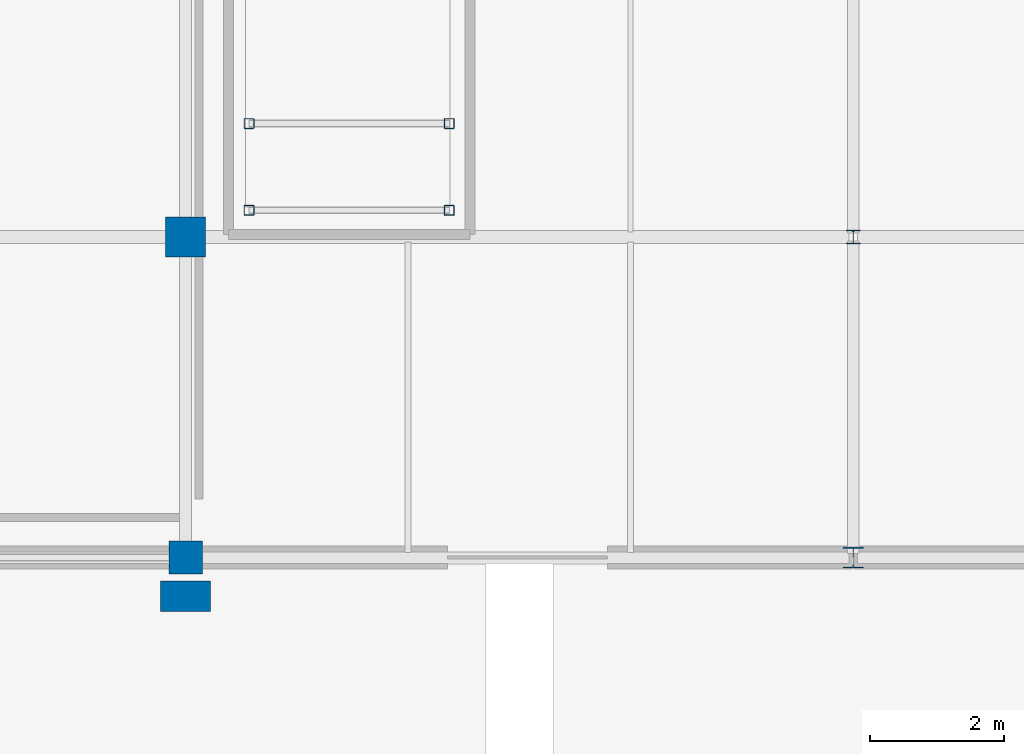
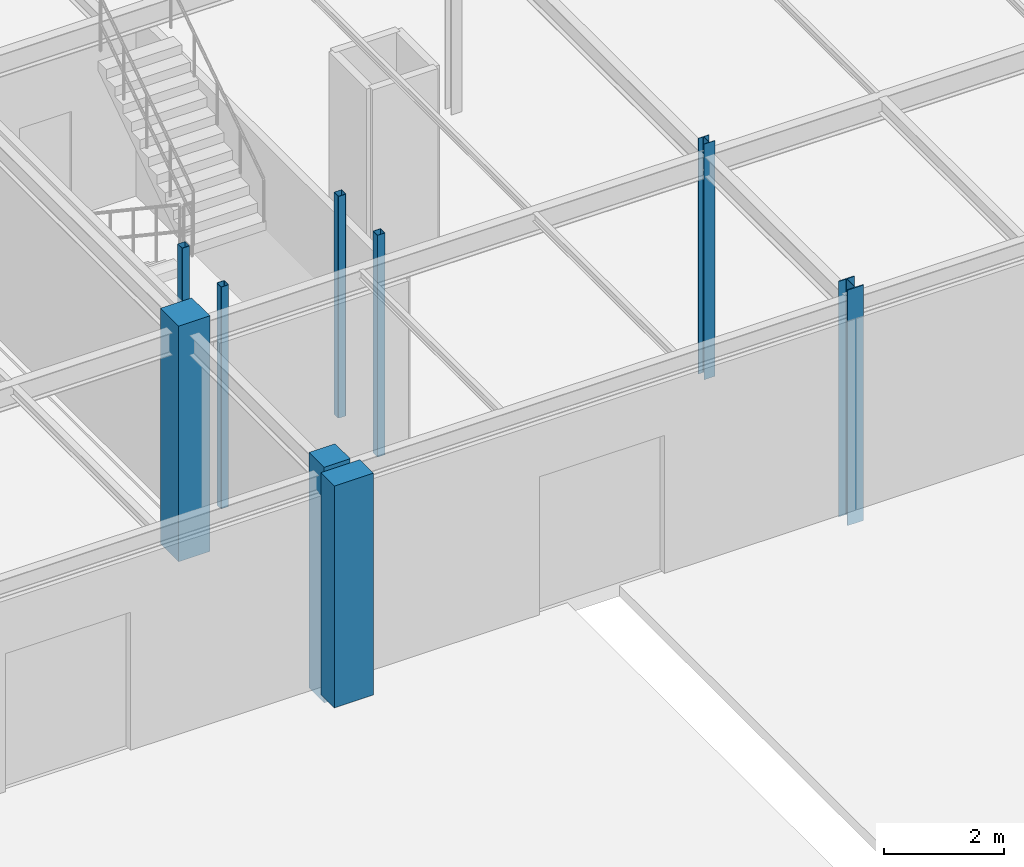
# One storey, part 23 of 119: 9 columns.
"""IFC4 building model written with IfcOpenShell, lengths in metres."""

import ifcopenshell
import ifcopenshell.guid

model = None  # the IFC model being written
_history = None  # IfcOwnerHistory: only IFC2X3 demands one
_inside = {}  # id of a spatial element -> (the spatial element, [elements in it])
_under = {}  # id of a project, library or spatial element -> (it, [spatial elements below it])
_declared = {}  # id of a project -> (the project, [libraries it declares])
_typed = {}  # id of a type object -> (the type object, [elements of that type])
_made_of = {}  # id of a material, layer set ... -> (it, [elements and type objects made of it])


def new_model(schema):
    """Start an empty IFC model of exactly this schema.

    Asked for "IFC4X3", IfcOpenShell would pick the latest addendum, in which some entities
    have other attributes; the version numbers below select the first issue.
    IFC2X3 requires an IfcOwnerHistory on every rooted entity: one is made here for all.
    """
    global model, _history
    if schema == "IFC4X3":
        model = ifcopenshell.file(schema_version=(4, 3, 0, 0))
    else:
        model = ifcopenshell.file(schema=schema)
    _inside.clear()
    _under.clear()
    _declared.clear()
    _typed.clear()
    _made_of.clear()
    _history = None
    if model.schema == "IFC2X3":
        org = make("IfcOrganization", Name="unknown")
        user = make(
            "IfcPersonAndOrganization",
            ThePerson=make("IfcPerson", FamilyName="unknown"),
            TheOrganization=org,
        )
        app = make(
            "IfcApplication",
            ApplicationDeveloper=org,
            Version="unknown",
            ApplicationFullName="unknown",
            ApplicationIdentifier="unknown",
        )
        _history = make(
            "IfcOwnerHistory",
            OwningUser=user,
            OwningApplication=app,
            ChangeAction="ADDED",
            CreationDate=0,
        )
    return model


def make(cls, **values):
    """One entity of the class cls with the attributes given. An attribute that is None is left unset."""
    return model.create_entity(
        cls, **{name: value for name, value in values.items() if value is not None}
    )


def rooted(cls, **values):
    """An entity with a GlobalId (a new one), such as an element, a storey or a relation."""
    return make(cls, GlobalId=ifcopenshell.guid.new(), OwnerHistory=_history, **values)


def si_unit(unit_type, name, prefix=None):
    """IfcSIUnit, for example si_unit("LENGTHUNIT", "METRE", prefix="MILLI")."""
    return make("IfcSIUnit", UnitType=unit_type, Prefix=prefix, Name=name)


def derived_unit(unit_type, elements):
    """IfcDerivedUnit: a product of units, each with its exponent."""
    return make(
        "IfcDerivedUnit",
        Elements=[
            make("IfcDerivedUnitElement", Unit=unit, Exponent=power)
            for unit, power in elements
        ],
        UnitType=unit_type,
    )


def assignment(units):
    """IfcUnitAssignment: the units of a project."""
    return None if units is None else make("IfcUnitAssignment", Units=units)


def point(xyz):
    """IfcCartesianPoint."""
    return None if xyz is None else make("IfcCartesianPoint", Coordinates=xyz)


def direction(xyz):
    """IfcDirection."""
    return None if xyz is None else make("IfcDirection", DirectionRatios=xyz)


def frame(location, z_axis=None, x_axis=None):
    """IfcAxis2Placement3D, a coordinate frame: its origin and axes. An axis left out is left unset."""
    return make(
        "IfcAxis2Placement3D",
        Location=point(location),
        Axis=direction(z_axis),
        RefDirection=direction(x_axis),
    )


def frame_2d(location, x_axis=None):
    """IfcAxis2Placement2D, a coordinate frame in the plane: its origin and x axis."""
    return make(
        "IfcAxis2Placement2D", Location=point(location), RefDirection=direction(x_axis)
    )


def origin():
    """The frame at (0, 0, 0) with its axes left unset."""
    return frame((0.0, 0.0, 0.0))


def origin_2d_with_axis():
    """The frame at (0, 0) in the plane with the x axis (1, 0) written out."""
    return frame_2d((0.0, 0.0), x_axis=(1.0, 0.0))


def place(relative_to, where):
    """IfcLocalPlacement: puts the frame where relative to a parent placement (None: the world)."""
    return make(
        "IfcLocalPlacement", PlacementRelTo=relative_to, RelativePlacement=where
    )


def context(
    kind, dimensions, precision=None, world=None, true_north=None, identifier=None
):
    """IfcGeometricRepresentationContext, for example the 3D "Model" context."""
    return make(
        "IfcGeometricRepresentationContext",
        ContextIdentifier=identifier,
        ContextType=kind,
        CoordinateSpaceDimension=dimensions,
        Precision=precision,
        WorldCoordinateSystem=world,
        TrueNorth=true_north,
    )


def subcontext(parent, identifier, kind, view, scale=None):
    """IfcGeometricRepresentationSubContext, for example "Body" below "Model"."""
    return make(
        "IfcGeometricRepresentationSubContext",
        ContextIdentifier=identifier,
        ContextType=kind,
        ParentContext=parent,
        TargetScale=scale,
        TargetView=view,
    )


def project(units=None, contexts=None):
    """IfcProject with its units and contexts."""
    return rooted(
        "IfcProject",
        Name="project",
        RepresentationContexts=contexts,
        UnitsInContext=assignment(units),
    )


def spatial(cls, under=None, at=None, **own):
    """A site, building, storey or space (cls), placed at a placement, below another one or the project."""
    s = rooted(cls, ObjectPlacement=at, **own)
    if under is not None:
        _under.setdefault(under.id(), (under, []))[1].append(s)
    return s


def profile(cls, at=None, kind="AREA", **sizes):
    """A parametric profile (cls). Its sizes go by their IFC names, for example OverallWidth=200.0."""
    return make(cls, ProfileType=kind, Position=at, **sizes)


def rectangle(**sizes):
    """IfcRectangleProfileDef."""
    return profile("IfcRectangleProfileDef", **sizes)


def hollow_rectangle(**sizes):
    """IfcRectangleHollowProfileDef."""
    return profile("IfcRectangleHollowProfileDef", **sizes)


def i_section(**sizes):
    """IfcIShapeProfileDef."""
    return profile("IfcIShapeProfileDef", **sizes)


def extrude(swept, where, along, depth):
    """IfcExtrudedAreaSolid: the profile swept, set in the frame where, extruded along a direction by depth."""
    return make(
        "IfcExtrudedAreaSolid",
        SweptArea=swept,
        Position=where,
        ExtrudedDirection=direction(along),
        Depth=depth,
    )


def shape(context_of_items, identifier, shape_type, items):
    """IfcShapeRepresentation: the items that make up one representation, for example the "Body"."""
    return make(
        "IfcShapeRepresentation",
        ContextOfItems=context_of_items,
        RepresentationIdentifier=identifier,
        RepresentationType=shape_type,
        Items=items,
    )


def material(Name=None, Category=None):
    """IfcMaterial."""
    return make("IfcMaterial", Name=Name, Category=Category)


def material_profile(
    of_material, cross_section, Name=None, Category=None, Priority=None
):
    """IfcMaterialProfile: a cross section and its material."""
    return make(
        "IfcMaterialProfile",
        Name=Name,
        Material=of_material,
        Profile=cross_section,
        Priority=Priority,
        Category=Category,
    )


def profile_set(profiles, Name=None, composite=None):
    """IfcMaterialProfileSet."""
    return make(
        "IfcMaterialProfileSet",
        Name=Name,
        MaterialProfiles=profiles,
        CompositeProfile=composite,
    )


def made_of(thing, what):
    """Note that an element or type object is made of a material, layer set ...; save() writes the relation."""
    if what is not None:
        _made_of.setdefault(what.id(), (what, []))[1].append(thing)
    return thing


def type_object(cls, material=None, **own):
    """A type object (cls), such as IfcWallType, which elements share."""
    return made_of(rooted(cls, **own), material)


def element(
    cls,
    number,
    at=None,
    inside=None,
    cuts=None,
    type_object=None,
    material=None,
    context=None,
    identifier="Body",
    shape_type=None,
    held_by="IfcProductDefinitionShape",
    body=None,
    shapes=None,
    **own,
):
    """One element of the class cls, such as IfcWall. Its Tag is "e" and its number.

    at: its placement. inside: the storey or other place that contains it. cuts: it is an
    opening in that element (IfcRelVoidsElement). A single representation is given by context,
    identifier, shape_type and body (its items); several are given by shapes. held_by: the class
    of the entity that holds the representations. save() writes the other relations.
    """
    e = rooted(cls, Tag="e%d" % number, ObjectPlacement=at, **own)
    if body is not None:
        shapes = [shape(context, identifier, shape_type, body)]
    if shapes is not None:
        e.Representation = make(held_by, Representations=shapes)
    if inside is not None:
        _inside.setdefault(inside.id(), (inside, []))[1].append(e)
    if cuts is not None:
        rooted(
            "IfcRelVoidsElement", RelatingBuildingElement=cuts, RelatedOpeningElement=e
        )
    if type_object is not None:
        _typed.setdefault(type_object.id(), (type_object, []))[1].append(e)
    return made_of(e, material)


def aggregate(whole, parts):
    """IfcRelAggregates: a whole, such as a stair, and the parts it consists of."""
    return rooted("IfcRelAggregates", RelatingObject=whole, RelatedObjects=parts)


def save(model, path):
    """Write the relations noted so far, then the file.

    IfcRelAggregates (storeys below a building ...), IfcRelContainedInSpatialStructure (elements
    in a storey), IfcRelDefinesByType, IfcRelAssociatesMaterial and IfcRelDeclares: one each for
    every whole, place, type object, material and project.
    """
    for whole, parts in _under.values():
        aggregate(whole, parts)
    for where, things in _inside.values():
        rooted(
            "IfcRelContainedInSpatialStructure",
            RelatedElements=things,
            RelatingStructure=where,
        )
    for kind, things in _typed.values():
        rooted("IfcRelDefinesByType", RelatedObjects=things, RelatingType=kind)
    for what, things in _made_of.values():
        rooted("IfcRelAssociatesMaterial", RelatedObjects=things, RelatingMaterial=what)
    for by, libraries in _declared.values():
        rooted("IfcRelDeclares", RelatingContext=by, RelatedDefinitions=libraries)
    model.write(path)


model = new_model("IFC4")

# Units and contexts
model_context = context("Model", 3, precision=1e-05, world=origin(), true_north=direction((0.0, 1.0)))
body_context = subcontext(model_context, "Body", "Model", "MODEL_VIEW")
ifc_project = project(units=[si_unit("LENGTHUNIT", "METRE"), si_unit("AREAUNIT", "SQUARE_METRE"), si_unit("VOLUMEUNIT", "CUBIC_METRE"), si_unit("PLANEANGLEUNIT", "RADIAN"), si_unit("MASSUNIT", "GRAM", prefix="KILO"), derived_unit("THERMALTRANSMITTANCEUNIT", [(si_unit("POWERUNIT", "WATT"), 1), (si_unit("LENGTHUNIT", "METRE"), -2), (si_unit("THERMODYNAMICTEMPERATUREUNIT", "KELVIN"), -1)])], contexts=[model_context])

# Site, building, storey
site_placement = place(None, origin())
site = spatial("IfcSite", under=ifc_project, at=site_placement, CompositionType="ELEMENT")
building_placement = place(site_placement, origin())
building = spatial("IfcBuilding", under=site, at=building_placement, Name="Cinnabar Yard Market Hall", CompositionType="ELEMENT")
storey_placement = place(building_placement, origin())
storey = spatial("IfcBuildingStorey", under=building, at=storey_placement, Name="L00", CompositionType="ELEMENT", Elevation=0.0)

# Columns
ifc_material_1 = material(Name="Steel Grade 300 (300 MPa)", Category="steel")
ifc_material_profile_1 = material_profile(ifc_material_1, i_section(OverallWidth=0.304931640625, OverallDepth=0.30810546875, WebThickness=0.010009765625, FlangeThickness=0.015380859375, FilletRadius=0.0166015625, at=origin_2d_with_axis()), Name="310UC96.8")
ifc_profile_set_1 = profile_set([ifc_material_profile_1], Name="Steel Grade 300 (300 MPa)")
column_type_1 = type_object("IfcColumnType", Name="COL-C09E", PredefinedType="COLUMN", material=ifc_profile_set_1)
column_1_placement = place(storey_placement, frame((116.0, 108.0, -0.280029296875), z_axis=(0.0, 0.0, 1.0), x_axis=(1.0, 0.0, 0.0)))
element("IfcColumn", 1, at=column_1_placement, inside=storey, type_object=column_type_1, Name="Wing Column V3-06-01 L00", PredefinedType="COLUMN", context=body_context, shape_type="SweptSolid", body=[
    extrude(i_section(OverallWidth=0.304931640625, OverallDepth=0.30810546875, WebThickness=0.010009765625, FlangeThickness=0.015380859375, FilletRadius=0.0166015625, at=origin_2d_with_axis()), origin(), (0.0, 0.0, 1.0), 4.780029296875),
])
ifc_material_profile_2 = material_profile(ifc_material_1, i_section(OverallWidth=0.203369140625, OverallDepth=0.203369140625, WebThickness=0.00732421875, FlangeThickness=0.010986328125, FilletRadius=0.011474609375, at=origin_2d_with_axis()), Name="200UC46.2")
ifc_profile_set_2 = profile_set([ifc_material_profile_2], Name="Steel Grade 300 (300 MPa)")
column_type_2 = type_object("IfcColumnType", Name="COL-C13", PredefinedType="COLUMN", material=ifc_profile_set_2)
column_2_placement = place(storey_placement, frame((116.0, 112.800048828125, -0.280029296875), z_axis=(0.0, 0.0, 1.0), x_axis=(1.0, 0.0, 0.0)))
element("IfcColumn", 2, at=column_2_placement, inside=storey, type_object=column_type_2, Name="Wing Column V3-06-02 L00", PredefinedType="COLUMN", context=body_context, shape_type="SweptSolid", body=[
    extrude(i_section(OverallWidth=0.203369140625, OverallDepth=0.203369140625, WebThickness=0.00732421875, FlangeThickness=0.010986328125, FilletRadius=0.011474609375, at=origin_2d_with_axis()), origin(), (0.0, 0.0, 1.0), 4.780029296875),
])
ifc_material_2 = material(Name="Cold-formed steel C350L0", Category="steel")
ifc_material_profile_3 = material_profile(ifc_material_2, hollow_rectangle(XDim=0.14990234375, YDim=0.14990234375, WallThickness=0.006103515625, InnerFilletRadius=0.006103515625, OuterFilletRadius=0.011962890625, at=origin_2d_with_axis()), Name="150x150x6.0SHS")
ifc_profile_set_3 = profile_set([ifc_material_profile_3], Name="Cold-formed steel C350L0")
column_type_3 = type_object("IfcColumnType", Name="COL-C16", PredefinedType="COLUMN", material=ifc_profile_set_3)
for number, where, z_axis, x_axis, name in (
    (3, (106.949951171875, 113.199951171875, 0.0), (0.0, 0.0, 1.0), (1.0, 0.0, 0.0), "Feature Stair Post ST-F4-1 L00"),
    (4, (109.949951171875, 113.199951171875, 0.0), (0.0, 0.0, 1.0), (1.0, 0.0, 0.0), "Feature Stair Post ST-F4-2 L00"),
    (5, (106.949951171875, 114.5, 0.0), (0.0, 0.0, 1.0), (1.0, 0.0, 0.0), "Feature Stair Post ST-F4-3 L00"),
    (6, (109.949951171875, 114.5, 0.0), (0.0, 0.0, 1.0), (1.0, 0.0, 0.0), "Feature Stair Post ST-F4-4 L00"),
):
    element("IfcColumn", number, at=place(storey_placement, frame(where, z_axis=z_axis, x_axis=x_axis)), inside=storey, type_object=column_type_3, Name=name, PredefinedType="COLUMN", context=body_context, shape_type="SweptSolid", body=[
        extrude(hollow_rectangle(XDim=0.14990234375, YDim=0.14990234375, WallThickness=0.006103515625, InnerFilletRadius=0.006103515625, OuterFilletRadius=0.011962890625, at=origin_2d_with_axis()), origin(), (0.0, 0.0, 1.0), 4.5),
    ])
ifc_material_3 = material(Name="Concrete 40 MPa", Category="concrete")
ifc_material_profile_4 = material_profile(ifc_material_3, rectangle(XDim=0.75, YDim=0.449951171875, at=origin_2d_with_axis()), Name="RC-750x450")
ifc_profile_set_4 = profile_set([ifc_material_profile_4], Name="Concrete 40 MPa")
column_type_4 = type_object("IfcColumnType", Name="COL-PIL1E", PredefinedType="PILASTER", material=ifc_profile_set_4)
column_3_placement = place(storey_placement, frame((106.0, 107.419921875, 0.0), z_axis=(0.0, 0.0, 1.0), x_axis=(1.0, 0.0, 0.0)))
element("IfcColumn", 7, at=column_3_placement, inside=storey, type_object=column_type_4, Name="Engaged Pilaster 04 L00", PredefinedType="PILASTER", context=body_context, shape_type="SweptSolid", body=[
    extrude(rectangle(XDim=0.75, YDim=0.449951171875, at=origin_2d_with_axis()), origin(), (0.0, 0.0, 1.0), 4.5),
])
ifc_material_profile_5 = material_profile(ifc_material_3, rectangle(XDim=0.5, YDim=0.5, at=origin_2d_with_axis()), Name="RC-500x500")
ifc_profile_set_5 = profile_set([ifc_material_profile_5], Name="Concrete 40 MPa")
column_type_5 = type_object("IfcColumnType", Name="COL-RC1E", PredefinedType="COLUMN", material=ifc_profile_set_5)
column_4_placement = place(storey_placement, frame((106.0, 108.0, -0.280029296875), z_axis=(0.0, 0.0, 1.0), x_axis=(1.0, 0.0, 0.0)))
element("IfcColumn", 8, at=column_4_placement, inside=storey, type_object=column_type_5, Name="Wing Column V3-05-01 L00", PredefinedType="COLUMN", context=body_context, shape_type="SweptSolid", body=[
    extrude(rectangle(XDim=0.5, YDim=0.5, at=origin_2d_with_axis()), origin(), (0.0, 0.0, 1.0), 4.780029296875),
])
ifc_material_profile_6 = material_profile(ifc_material_3, rectangle(XDim=0.60009765625, YDim=0.60009765625, at=origin_2d_with_axis()), Name="RC-600x600")
ifc_profile_set_6 = profile_set([ifc_material_profile_6], Name="Concrete 40 MPa")
column_type_6 = type_object("IfcColumnType", Name="COL-RC2", PredefinedType="COLUMN", material=ifc_profile_set_6)
column_5_placement = place(storey_placement, frame((106.0, 112.800048828125, -0.280029296875), z_axis=(0.0, 0.0, 1.0), x_axis=(1.0, 0.0, 0.0)))
element("IfcColumn", 9, at=column_5_placement, inside=storey, type_object=column_type_6, Name="Wing Column V3-05-02 L00", PredefinedType="COLUMN", context=body_context, shape_type="SweptSolid", body=[
    extrude(rectangle(XDim=0.60009765625, YDim=0.60009765625, at=origin_2d_with_axis()), origin(), (0.0, 0.0, 1.0), 4.780029296875),
])

save(model, "model.ifc")
